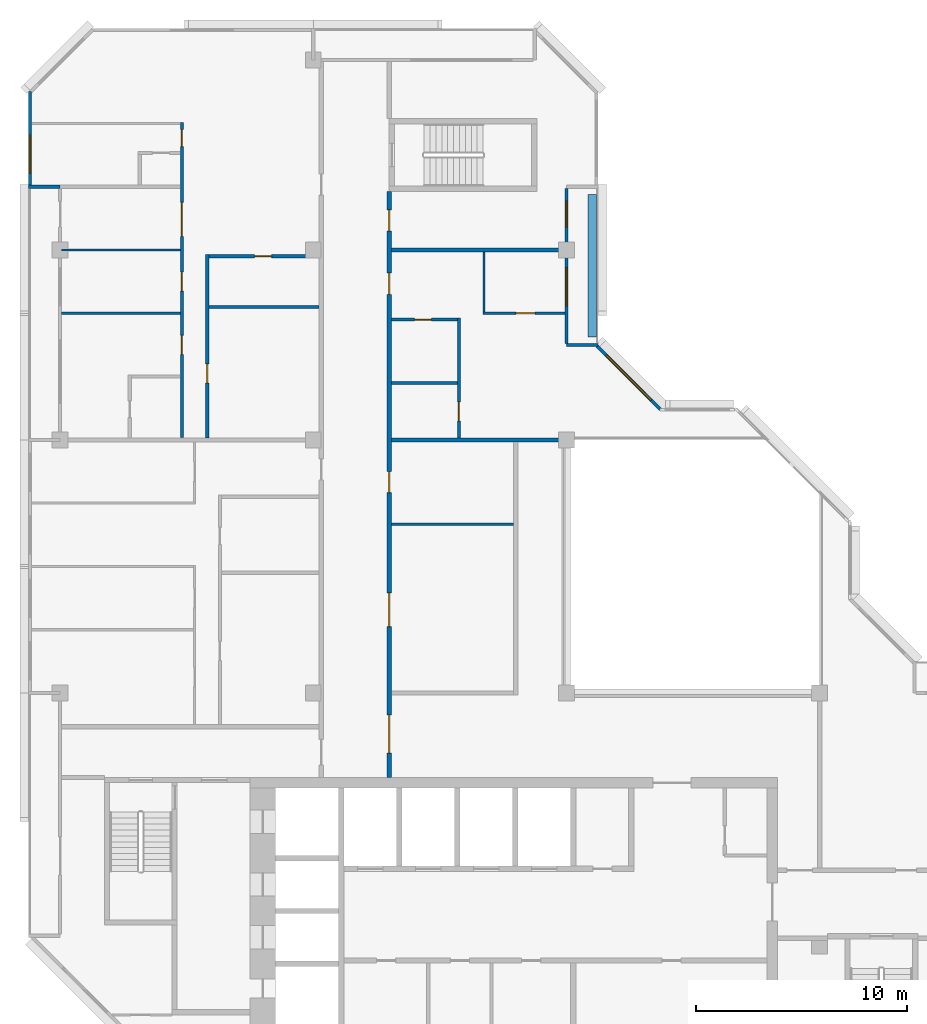
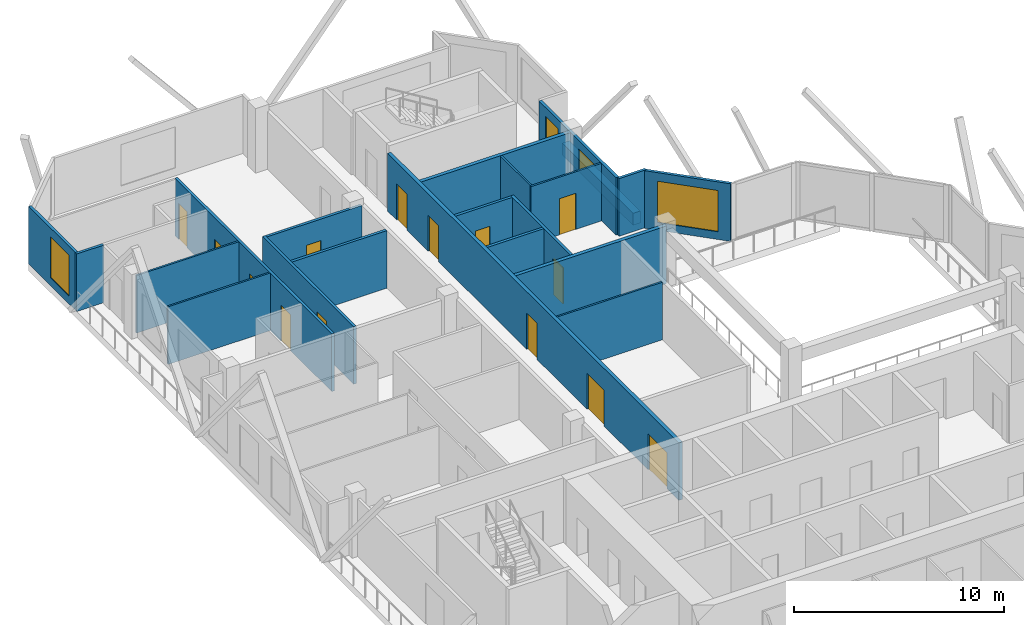
# One storey, part 8 of 11: 21 walls, 14 doors, 4 windows, 18 openings.
"""IFC4 building model written with IfcOpenShell, lengths in metres."""

from ifc_helpers import new_model, si_unit, direction, frame, frame_2d, origin, place, context, subcontext, project, spatial, rectangle, extrude, material, layer, layer_set, type_object, element, fill, save


model = new_model("IFC4")

# Units and contexts
model_context = context("Model", 3, precision=1e-05, world=origin(), true_north=direction((0.0, 1.0)))
body_context = subcontext(model_context, "Body", "Model", "MODEL_VIEW")
ifc_project = project(units=[si_unit("LENGTHUNIT", "METRE"), si_unit("AREAUNIT", "SQUARE_METRE"), si_unit("VOLUMEUNIT", "CUBIC_METRE"), si_unit("PLANEANGLEUNIT", "RADIAN"), si_unit("MASSUNIT", "GRAM", prefix="KILO")], contexts=[model_context])

# Site, building, storey
site_placement = place(None, origin())
site = spatial("IfcSite", under=ifc_project, at=site_placement, CompositionType="ELEMENT")
building_placement = place(site_placement, origin())
building = spatial("IfcBuilding", under=site, at=building_placement, Name="Chenar Terraces", CompositionType="ELEMENT")
storey_placement = place(building_placement, frame((0.0, 0.0, 376.39990234375)))
storey = spatial("IfcBuildingStorey", under=building, at=storey_placement, Name="L88", CompositionType="ELEMENT", Elevation=376.39990234375)

# Wall, openings, doors
ifc_material_1 = material(Name="Gypsum board on steel studs with fire boards", Category="steel")
ifc_layer_1 = layer(ifc_material_1, 0.199951171875)
ifc_layer_set_1 = layer_set([ifc_layer_1], Name="Gypsum board on steel studs with fire boards")
wall_type_1 = type_object("IfcWallType", Name="Corridor wall 200", PredefinedType="PARTITIONING", material=ifc_layer_set_1)
wall_1_placement = place(storey_placement, frame((15.60009765625, 20.0, 0.0), z_axis=(0.0, 0.0, 1.0), x_axis=(0.0, 1.0, 0.0)))
wall_1 = element("IfcWall", 1, at=wall_1_placement, inside=storey, type_object=wall_type_1, Name="Partition L88-031", PredefinedType="PARTITIONING", context=body_context, shape_type="SweptSolid", body=[
    extrude(rectangle(XDim=27.77490234375, YDim=0.199951171875, at=frame_2d((13.887451171875, 0.0))), origin(), (0.0, 0.0, 1.0), 3.35009765625),
])
opening_1_placement = place(wall_1_placement, frame((7.14990234375, 0.0, 0.0)))
opening_1 = element("IfcOpeningElement", 2, at=opening_1_placement, cuts=wall_1, Name="Opening DL88-1", PredefinedType="OPENING", context=body_context, shape_type="SweptSolid", body=[
    extrude(rectangle(XDim=1.60009765625, YDim=2.10009765625, at=frame_2d((0.800048828125, 1.050048828125))), frame((0.0, 0.10986328125, 0.0), z_axis=(0.0, -1.0, 0.0), x_axis=(1.0, 0.0, 0.0)), (0.0, 0.0, 1.0), 0.219970703125),
])
opening_2_placement = place(wall_1_placement, frame((13.5, 0.0, 0.0)))
opening_2 = element("IfcOpeningElement", 3, at=opening_2_placement, cuts=wall_1, Name="Opening DL88-2", PredefinedType="OPENING", context=body_context, shape_type="SweptSolid", body=[
    extrude(rectangle(XDim=1.0, YDim=2.10009765625, at=frame_2d((0.5, 1.050048828125))), frame((0.0, 0.10986328125, 0.0), z_axis=(0.0, -1.0, 0.0), x_axis=(1.0, 0.0, 0.0)), (0.0, 0.0, 1.0), 0.219970703125),
])
opening_3_placement = place(wall_1_placement, frame((22.89990234375, 0.0, 0.0)))
opening_3 = element("IfcOpeningElement", 4, at=opening_3_placement, cuts=wall_1, Name="Opening DL88-7", PredefinedType="OPENING", context=body_context, shape_type="SweptSolid", body=[
    extrude(rectangle(XDim=1.0, YDim=2.10009765625, at=frame_2d((0.5, 1.050048828125))), frame((0.0, 0.10986328125, 0.0), z_axis=(0.0, -1.0, 0.0), x_axis=(1.0, 0.0, 0.0)), (0.0, 0.0, 1.0), 0.219970703125),
])
opening_4_placement = place(wall_1_placement, frame((1.14990234375, 0.0, 0.0)))
opening_4 = element("IfcOpeningElement", 5, at=opening_4_placement, cuts=wall_1, Name="Opening DL88-18", PredefinedType="OPENING", context=body_context, shape_type="SweptSolid", body=[
    extrude(rectangle(XDim=1.800048828125, YDim=2.10009765625, at=frame_2d((0.89990234375, 1.050048828125))), frame((0.0, 0.10986328125, 0.0), z_axis=(0.0, -1.0, 0.0), x_axis=(1.0, 0.0, 0.0)), (0.0, 0.0, 1.0), 0.219970703125),
])
opening_5_placement = place(wall_1_placement, frame((25.89990234375, 0.0, 0.0)))
opening_5 = element("IfcOpeningElement", 6, at=opening_5_placement, cuts=wall_1, Name="Opening DL88-21", PredefinedType="OPENING", context=body_context, shape_type="SweptSolid", body=[
    extrude(rectangle(XDim=1.0, YDim=2.10009765625, at=frame_2d((0.5, 1.050048828125))), frame((0.0, 0.10986328125, 0.0), z_axis=(0.0, -1.0, 0.0), x_axis=(1.0, 0.0, 0.0)), (0.0, 0.0, 1.0), 0.219970703125),
])
ifc_material_2 = material(Name="Steel-framed fire-resisting door leaf", Category="steel")
door_type_1 = type_object("IfcDoorType", Name="Fire door FD60 1000 x 2100", OperationType="SINGLE_SWING_LEFT", PredefinedType="DOOR", material=ifc_material_2)
door_1_placement = place(opening_2_placement, frame((1.0, 0.0, 0.0), z_axis=(0.0, 0.0, 1.0), x_axis=(-1.0, 0.0, 0.0)))
door_1 = element("IfcDoor", 7, at=door_1_placement, inside=storey, type_object=door_type_1, Name="Door DL88-2", OperationType="SINGLE_SWING_LEFT", OverallHeight=2.10009765625, OverallWidth=1.0, PredefinedType="DOOR", context=body_context, shape_type="SweptSolid", body=[
    extrude(rectangle(XDim=1.0, YDim=2.10009765625, at=frame_2d((0.5, 1.050048828125))), frame((0.0, 0.02490234375, 0.0), z_axis=(0.0, -1.0, 0.0), x_axis=(1.0, 0.0, 0.0)), (0.0, 0.0, 1.0), 0.050048828125),
])
fill(opening_2, door_1)
door_2_placement = place(opening_3_placement, frame((1.0, 0.0, 0.0), z_axis=(0.0, 0.0, 1.0), x_axis=(-1.0, 0.0, 0.0)))
door_2 = element("IfcDoor", 8, at=door_2_placement, inside=storey, type_object=door_type_1, Name="Door DL88-7", OperationType="SINGLE_SWING_LEFT", OverallHeight=2.10009765625, OverallWidth=1.0, PredefinedType="DOOR", context=body_context, shape_type="SweptSolid", body=[
    extrude(rectangle(XDim=1.0, YDim=2.10009765625, at=frame_2d((0.5, 1.050048828125))), frame((0.0, 0.02490234375, 0.0), z_axis=(0.0, -1.0, 0.0), x_axis=(1.0, 0.0, 0.0)), (0.0, 0.0, 1.0), 0.050048828125),
])
fill(opening_3, door_2)
door_3_placement = place(opening_5_placement, frame((1.0, 0.0, 0.0), z_axis=(0.0, 0.0, 1.0), x_axis=(-1.0, 0.0, 0.0)))
door_3 = element("IfcDoor", 9, at=door_3_placement, inside=storey, type_object=door_type_1, Name="Door DL88-21", OperationType="SINGLE_SWING_RIGHT", OverallHeight=2.10009765625, OverallWidth=1.0, PredefinedType="DOOR", context=body_context, shape_type="SweptSolid", body=[
    extrude(rectangle(XDim=1.0, YDim=2.10009765625, at=frame_2d((0.5, 1.050048828125))), frame((0.0, 0.02490234375, 0.0), z_axis=(0.0, -1.0, 0.0), x_axis=(1.0, 0.0, 0.0)), (0.0, 0.0, 1.0), 0.050048828125),
])
fill(opening_5, door_3)
ifc_material_3 = material(Name="Steel-framed fire-resisting door leaf", Category="steel")
door_type_2 = type_object("IfcDoorType", Name="Fire double door FD60 1600 x 2100", OperationType="DOUBLE_DOOR_SINGLE_SWING", PredefinedType="DOOR", material=ifc_material_3)
door_4_placement = place(opening_1_placement, frame((1.60009765625, 0.0, 0.0), z_axis=(0.0, 0.0, 1.0), x_axis=(-1.0, 0.0, 0.0)))
door_4 = element("IfcDoor", 10, at=door_4_placement, inside=storey, type_object=door_type_2, Name="Door DL88-1", OperationType="DOUBLE_DOOR_SINGLE_SWING", OverallHeight=2.10009765625, OverallWidth=1.60009765625, PredefinedType="DOOR", context=body_context, shape_type="SweptSolid", body=[
    extrude(rectangle(XDim=1.60009765625, YDim=2.10009765625, at=frame_2d((0.800048828125, 1.050048828125))), frame((0.0, 0.02490234375, 0.0), z_axis=(0.0, -1.0, 0.0), x_axis=(1.0, 0.0, 0.0)), (0.0, 0.0, 1.0), 0.050048828125),
])
fill(opening_1, door_4)
ifc_material_4 = material(Name="Steel-framed fire-resisting door leaf", Category="steel")
door_type_3 = type_object("IfcDoorType", Name="Fire double door FD60 1800 x 2100", OperationType="DOUBLE_DOOR_SINGLE_SWING", PredefinedType="DOOR", material=ifc_material_4)
door_5_placement = place(opening_4_placement, frame((1.800048828125, 0.0, 0.0), z_axis=(0.0, 0.0, 1.0), x_axis=(-1.0, 0.0, 0.0)))
door_5 = element("IfcDoor", 11, at=door_5_placement, inside=storey, type_object=door_type_3, Name="Door DL88-18", OperationType="DOUBLE_DOOR_SINGLE_SWING", OverallHeight=2.10009765625, OverallWidth=1.800048828125, PredefinedType="DOOR", context=body_context, shape_type="SweptSolid", body=[
    extrude(rectangle(XDim=1.800048828125, YDim=2.10009765625, at=frame_2d((0.89990234375, 1.050048828125))), frame((0.0, 0.02490234375, 0.0), z_axis=(0.0, -1.0, 0.0), x_axis=(1.0, 0.0, 0.0)), (0.0, 0.0, 1.0), 0.050048828125),
])
fill(opening_4, door_5)

# Wall, opening, window
ifc_material_5 = material(Name="Aluminium framed glazing", Category="aluminium")
ifc_layer_2 = layer(ifc_material_5, 0.14990234375)
ifc_layer_set_2 = layer_set([ifc_layer_2], Name="Aluminium framed glazing")
wall_type_2 = type_object("IfcWallType", Name="Glazed flush facade wall 150", PredefinedType="SOLIDWALL", material=ifc_layer_set_2)
wall_2_placement = place(storey_placement, frame((-1.425048828125, 52.5, 0.0), z_axis=(0.0, 0.0, 1.0), x_axis=(0.0, -1.0, 0.0)))
wall_2 = element("IfcWall", 12, at=wall_2_placement, inside=storey, type_object=wall_type_2, Name="Glazed flush facade wall", PredefinedType="SOLIDWALL", context=body_context, shape_type="SweptSolid", body=[
    extrude(rectangle(XDim=4.425048828125, YDim=0.14990234375, at=frame_2d((2.21240234375, 0.0))), origin(), (0.0, 0.0, 1.0), 3.35009765625),
])
opening_6_placement = place(wall_2_placement, frame((2.0625, 0.0, 0.449951171875)))
opening_6 = element("IfcOpeningElement", 13, at=opening_6_placement, cuts=wall_2, Name="Opening W180x240", PredefinedType="OPENING", context=body_context, shape_type="SweptSolid", body=[
    extrude(rectangle(XDim=1.800048828125, YDim=2.39990234375, at=frame_2d((0.89990234375, 1.199951171875))), frame((0.0, 0.0849609375, 0.0), z_axis=(0.0, -1.0, 0.0), x_axis=(1.0, 0.0, 0.0)), (0.0, 0.0, 1.0), 0.169921875),
])
ifc_material_6 = material(Name="Low emissivity double glazing, aluminium frame", Category="aluminium")
window_type_1 = type_object("IfcWindowType", Name="Fixed light 1800 x 2400", PartitioningType="SINGLE_PANEL", PredefinedType="WINDOW", material=ifc_material_6)
window_1_placement = place(opening_6_placement, origin())
window_1 = element("IfcWindow", 14, at=window_1_placement, inside=storey, type_object=window_type_1, Name="Window", OverallHeight=2.39990234375, OverallWidth=1.800048828125, PartitioningType="SINGLE_PANEL", PredefinedType="WINDOW", context=body_context, shape_type="SweptSolid", body=[
    extrude(rectangle(XDim=1.800048828125, YDim=2.39990234375, at=frame_2d((0.89990234375, 1.199951171875))), frame((0.0, 0.030029296875, 0.0), z_axis=(0.0, -1.0, 0.0), x_axis=(1.0, 0.0, 0.0)), (0.0, 0.0, 1.0), 0.06005859375),
])
fill(opening_6, window_1)

# Wall, openings, windows
ifc_material_7 = material(Name="Aluminium framed glazing", Category="aluminium")
ifc_layer_3 = layer(ifc_material_7, 0.14990234375)
ifc_layer_set_3 = layer_set([ifc_layer_3], Name="Aluminium framed glazing")
wall_type_3 = type_object("IfcWallType", Name="Glazed loggia back wall 150", PredefinedType="SOLIDWALL", material=ifc_layer_set_3)
wall_3_placement = place(storey_placement, frame((24.0, 40.574951171875, 0.0), z_axis=(0.0, 0.0, 1.0), x_axis=(0.0, 1.0, 0.0)))
wall_3 = element("IfcWall", 15, at=wall_3_placement, inside=storey, type_object=wall_type_3, Name="Glazed loggia back wall", PredefinedType="SOLIDWALL", context=body_context, shape_type="SweptSolid", body=[
    extrude(rectangle(XDim=7.35009765625, YDim=0.14990234375, at=frame_2d((3.675048828125, 0.0))), origin(), (0.0, 0.0, 1.0), 3.35009765625),
])
opening_7_placement = place(wall_3_placement, frame((1.78759765625, 0.0, 0.449951171875)))
opening_7 = element("IfcOpeningElement", 16, at=opening_7_placement, cuts=wall_3, Name="Opening W180x240", PredefinedType="OPENING", context=body_context, shape_type="SweptSolid", body=[
    extrude(rectangle(XDim=1.800048828125, YDim=2.39990234375, at=frame_2d((0.89990234375, 1.199951171875))), frame((0.0, 0.0849609375, 0.0), z_axis=(0.0, -1.0, 0.0), x_axis=(1.0, 0.0, 0.0)), (0.0, 0.0, 1.0), 0.169921875),
])
opening_8_placement = place(wall_3_placement, frame((5.52490234375, 0.0, 0.449951171875)))
opening_8 = element("IfcOpeningElement", 17, at=opening_8_placement, cuts=wall_3, Name="Opening W120x240", PredefinedType="OPENING", context=body_context, shape_type="SweptSolid", body=[
    extrude(rectangle(XDim=1.199951171875, YDim=2.39990234375, at=frame_2d((0.60009765625, 1.199951171875))), frame((0.0, 0.0849609375, 0.0), z_axis=(0.0, -1.0, 0.0), x_axis=(1.0, 0.0, 0.0)), (0.0, 0.0, 1.0), 0.169921875),
])
ifc_material_8 = material(Name="Low emissivity double glazing, aluminium frame", Category="aluminium")
window_type_2 = type_object("IfcWindowType", Name="Fixed light 1200 x 2400", PartitioningType="SINGLE_PANEL", PredefinedType="WINDOW", material=ifc_material_8)
window_2_placement = place(opening_8_placement, origin())
window_2 = element("IfcWindow", 18, at=window_2_placement, inside=storey, type_object=window_type_2, Name="Window", OverallHeight=2.39990234375, OverallWidth=1.199951171875, PartitioningType="SINGLE_PANEL", PredefinedType="WINDOW", context=body_context, shape_type="SweptSolid", body=[
    extrude(rectangle(XDim=1.199951171875, YDim=2.39990234375, at=frame_2d((0.60009765625, 1.199951171875))), frame((0.0, 0.030029296875, 0.0), z_axis=(0.0, -1.0, 0.0), x_axis=(1.0, 0.0, 0.0)), (0.0, 0.0, 1.0), 0.06005859375),
])
fill(opening_8, window_2)
window_3_placement = place(opening_7_placement, origin())
window_3 = element("IfcWindow", 19, at=window_3_placement, inside=storey, type_object=window_type_1, Name="Window", OverallHeight=2.39990234375, OverallWidth=1.800048828125, PartitioningType="SINGLE_PANEL", PredefinedType="WINDOW", context=body_context, shape_type="SweptSolid", body=[
    extrude(rectangle(XDim=1.800048828125, YDim=2.39990234375, at=frame_2d((0.89990234375, 1.199951171875))), frame((0.0, 0.030029296875, 0.0), z_axis=(0.0, -1.0, 0.0), x_axis=(1.0, 0.0, 0.0)), (0.0, 0.0, 1.0), 0.06005859375),
])
fill(opening_7, window_3)

# Walls
ifc_material_9 = material(Name="Gypsum board on steel studs", Category="steel")
ifc_layer_4 = layer(ifc_material_9, 0.10009765625)
ifc_layer_set_4 = layer_set([ifc_layer_4], Name="Gypsum board on steel studs")
wall_type_4 = type_object("IfcWallType", Name="Gypsum partition 100", PredefinedType="PARTITIONING", material=ifc_layer_set_4)
for number, where, z_axis, x_axis, name in (
    (20, (0.073974609375, 42.0, 0.0), (0.0, 0.0, 1.0), (1.0, 0.0, 0.0), "Partition L88-009"),
    (21, (0.073974609375, 45.0, 0.0), (0.0, 0.0, 1.0), (1.0, 0.0, 0.0), "Partition L88-010"),
):
    element("IfcWall", number, at=place(storey_placement, frame(where, z_axis=z_axis, x_axis=x_axis)), inside=storey, type_object=wall_type_4, Name=name, PredefinedType="PARTITIONING", context=body_context, shape_type="SweptSolid", body=[
        extrude(rectangle(XDim=5.6259765625, YDim=0.10009765625, at=frame_2d((2.81298828125, 0.0))), origin(), (0.0, 0.0, 1.0), 3.35009765625),
    ])
wall_4_placement = place(storey_placement, frame((15.699951171875, 32.0, 0.0), z_axis=(0.0, 0.0, 1.0), x_axis=(1.0, 0.0, 0.0)))
element("IfcWall", 22, at=wall_4_placement, inside=storey, type_object=wall_type_4, Name="Partition L88-034", PredefinedType="PARTITIONING", context=body_context, shape_type="SweptSolid", body=[
    extrude(rectangle(XDim=5.800048828125, YDim=0.10009765625, at=frame_2d((2.89990234375, 0.0))), origin(), (0.0, 0.0, 1.0), 3.35009765625),
])

# Wall, opening, door
wall_5_placement = place(storey_placement, frame((20.050048828125, 42.0, 0.0), z_axis=(0.0, 0.0, 1.0), x_axis=(1.0, 0.0, 0.0)))
wall_5 = element("IfcWall", 23, at=wall_5_placement, inside=storey, type_object=wall_type_4, Name="Partition L88-041", PredefinedType="PARTITIONING", context=body_context, shape_type="SweptSolid", body=[
    extrude(rectangle(XDim=3.8759765625, YDim=0.10009765625, at=frame_2d((1.93798828125, 0.0))), origin(), (0.0, 0.0, 1.0), 3.35009765625),
])
opening_9_placement = place(wall_5_placement, frame((1.550048828125, 0.0, 0.0)))
opening_9 = element("IfcOpeningElement", 24, at=opening_9_placement, cuts=wall_5, Name="Opening DL88-5", PredefinedType="OPENING", context=body_context, shape_type="SweptSolid", body=[
    extrude(rectangle(XDim=0.89990234375, YDim=2.10009765625, at=frame_2d((0.449951171875, 1.050048828125))), frame((0.0, 0.06005859375, 0.0), z_axis=(0.0, -1.0, 0.0), x_axis=(1.0, 0.0, 0.0)), (0.0, 0.0, 1.0), 0.1201171875),
])
ifc_material_10 = material(Name="Veneered timber door leaf", Category="wood")
door_type_4 = type_object("IfcDoorType", Name="Door 900 x 2100", OperationType="SINGLE_SWING_LEFT", PredefinedType="DOOR", material=ifc_material_10)
door_6_placement = place(opening_9_placement, origin())
door_6 = element("IfcDoor", 25, at=door_6_placement, inside=storey, type_object=door_type_4, Name="Door DL88-5", OperationType="SINGLE_SWING_RIGHT", OverallHeight=2.10009765625, OverallWidth=0.89990234375, PredefinedType="DOOR", context=body_context, shape_type="SweptSolid", body=[
    extrude(rectangle(XDim=0.89990234375, YDim=2.10009765625, at=frame_2d((0.449951171875, 1.050048828125))), frame((0.0, 0.02490234375, 0.0), z_axis=(0.0, -1.0, 0.0), x_axis=(1.0, 0.0, 0.0)), (0.0, 0.0, 1.0), 0.050048828125),
])
fill(opening_9, door_6)

# Walls
wall_6_placement = place(storey_placement, frame((20.10009765625, 42.050048828125, 0.0), z_axis=(0.0, 0.0, 1.0), x_axis=(0.0, 1.0, 0.0)))
element("IfcWall", 26, at=wall_6_placement, inside=storey, type_object=wall_type_4, Name="Partition L88-042", PredefinedType="PARTITIONING", context=body_context, shape_type="SweptSolid", body=[
    extrude(rectangle(XDim=2.849853515625, YDim=0.10009765625, at=frame_2d((1.4248046875, 0.0))), origin(), (0.0, 0.0, 1.0), 3.35009765625),
])
ifc_material_11 = material(Name="Terracotta cladding on insulated backing", Category="masonry")
ifc_layer_5 = layer(ifc_material_11, 0.14990234375)
ifc_layer_set_5 = layer_set([ifc_layer_5], Name="Terracotta cladding on insulated backing")
wall_type_5 = type_object("IfcWallType", Name="Loggia return wall 150", PredefinedType="SOLIDWALL", material=ifc_layer_set_5)
for number, where, z_axis, x_axis, name in (
    (27, (25.5, 40.5, 0.0), (0.0, 0.0, 1.0), (-1.0, 0.0, 0.0), "Loggia return wall"),
    (28, (-1.5, 48.0, 0.0), (0.0, 0.0, 1.0), (1.0, 0.0, 0.0), "Loggia return wall"),
):
    element("IfcWall", number, at=place(storey_placement, frame(where, z_axis=z_axis, x_axis=x_axis)), inside=storey, type_object=wall_type_5, Name=name, PredefinedType="SOLIDWALL", context=body_context, shape_type="SweptSolid", body=[
        extrude(rectangle(XDim=1.5, YDim=0.14990234375, at=frame_2d((0.75, 0.0))), origin(), (0.0, 0.0, 1.0), 3.35009765625),
    ])

# Wall, opening, window
ifc_material_12 = material(Name="Terracotta cladding on insulated backing", Category="masonry")
ifc_layer_6 = layer(ifc_material_12, 0.14990234375)
ifc_layer_set_6 = layer_set([ifc_layer_6], Name="Terracotta cladding on insulated backing")
wall_type_6 = type_object("IfcWallType", Name="Terracotta rainscreen wall 150", PredefinedType="SOLIDWALL", material=ifc_layer_set_6)
wall_7_placement = place(storey_placement, frame((28.447021484375, 37.447021484375, 0.0), z_axis=(0.0, 0.0, 1.0), x_axis=(-0.707106781187, 0.707106781187, 0.0)))
wall_7 = element("IfcWall", 29, at=wall_7_placement, inside=storey, type_object=wall_type_6, Name="Terracotta rainscreen wall", PredefinedType="SOLIDWALL", context=body_context, shape_type="SweptSolid", body=[
    extrude(rectangle(XDim=4.24267578125, YDim=0.14990234375, at=frame_2d((2.121337890625, 0.0))), origin(), (0.0, 0.0, 1.0), 3.35009765625),
])
opening_10_placement = place(wall_7_placement, frame((0.621337890625, 0.0, 0.449951171875)))
opening_10 = element("IfcOpeningElement", 30, at=opening_10_placement, cuts=wall_7, Name="Opening W300x240", PredefinedType="OPENING", context=body_context, shape_type="SweptSolid", body=[
    extrude(rectangle(XDim=3.0, YDim=2.39990234375, at=frame_2d((1.5, 1.199951171875))), frame((0.0, 0.0849609375, 0.0), z_axis=(0.0, -1.0, 0.0), x_axis=(1.0, 0.0, 0.0)), (0.0, 0.0, 1.0), 0.169921875),
])
ifc_material_13 = material(Name="Low emissivity double glazing, aluminium frame", Category="aluminium")
window_type_3 = type_object("IfcWindowType", Name="Fixed light 3000 x 2400", PartitioningType="SINGLE_PANEL", PredefinedType="WINDOW", material=ifc_material_13)
window_4_placement = place(opening_10_placement, origin())
window_4 = element("IfcWindow", 31, at=window_4_placement, inside=storey, type_object=window_type_3, Name="Window", OverallHeight=2.39990234375, OverallWidth=3.0, PartitioningType="SINGLE_PANEL", PredefinedType="WINDOW", context=body_context, shape_type="SweptSolid", body=[
    extrude(rectangle(XDim=3.0, YDim=2.39990234375, at=frame_2d((1.5, 1.199951171875))), frame((0.0, 0.030029296875, 0.0), z_axis=(0.0, -1.0, 0.0), x_axis=(1.0, 0.0, 0.0)), (0.0, 0.0, 1.0), 0.06005859375),
])
fill(opening_10, window_4)

# Walls
ifc_material_14 = material(Name="Twin gypsum board on steel studs with mineral wool", Category="steel")
ifc_layer_7 = layer(ifc_material_14, 0.199951171875)
ifc_layer_set_7 = layer_set([ifc_layer_7], Name="Twin gypsum board on steel studs with mineral wool")
wall_type_7 = type_object("IfcWallType", Name="Unit demising wall 200", PredefinedType="PARTITIONING", material=ifc_layer_set_7)
wall_8_placement = place(storey_placement, frame((15.699951171875, 36.0, 0.0), z_axis=(0.0, 0.0, 1.0), x_axis=(1.0, 0.0, 0.0)))
element("IfcWall", 32, at=wall_8_placement, inside=storey, type_object=wall_type_7, Name="Partition L88-035", PredefinedType="PARTITIONING", context=body_context, shape_type="SweptSolid", body=[
    extrude(rectangle(XDim=8.300048828125, YDim=0.199951171875, at=frame_2d((4.14990234375, 0.0))), origin(), (0.0, 0.0, 1.0), 3.35009765625),
])
wall_9_placement = place(storey_placement, frame((15.699951171875, 45.0, 0.0), z_axis=(0.0, 0.0, 1.0), x_axis=(1.0, 0.0, 0.0)))
element("IfcWall", 33, at=wall_9_placement, inside=storey, type_object=wall_type_7, Name="Partition L88-038", PredefinedType="PARTITIONING", context=body_context, shape_type="SweptSolid", body=[
    extrude(rectangle(XDim=8.22607421875, YDim=0.199951171875, at=frame_2d((4.113037109375, 0.0))), origin(), (0.0, 0.0, 1.0), 3.35009765625),
])
ifc_material_15 = material(Name="GRP planter trough")
ifc_layer_8 = layer(ifc_material_15, 0.39990234375)
ifc_layer_set_8 = layer_set([ifc_layer_8], Name="GRP planter trough")
wall_type_8 = type_object("IfcWallType", Name="Vertical greenery planter 400", PredefinedType="SOLIDWALL", material=ifc_layer_set_8)
wall_10_placement = place(storey_placement, frame((25.22900390625, 40.875, 0.0), z_axis=(0.0, 0.0, 1.0), x_axis=(0.0, 1.0, 0.0)))
element("IfcWall", 34, at=wall_10_placement, inside=storey, type_object=wall_type_8, Name="Vertical greenery planter", PredefinedType="SOLIDWALL", context=body_context, shape_type="SweptSolid", body=[
    extrude(rectangle(XDim=6.75, YDim=0.39990234375, at=frame_2d((3.375, 0.0))), origin(), (0.0, 0.0, 1.0), 0.7001953125),
])

# Wall, openings, doors
ifc_material_16 = material(Name="Moisture-resistant gypsum board on steel studs", Category="steel")
ifc_layer_9 = layer(ifc_material_16, 0.14990234375)
ifc_layer_set_9 = layer_set([ifc_layer_9], Name="Moisture-resistant gypsum board on steel studs")
wall_type_9 = type_object("IfcWallType", Name="Wet-room partition 150", PredefinedType="PARTITIONING", material=ifc_layer_set_9)
wall_11_placement = place(storey_placement, frame((5.77490234375, 36.10009765625, 0.0), z_axis=(0.0, 0.0, 1.0), x_axis=(0.0, 1.0, 0.0)))
wall_11 = element("IfcWall", 35, at=wall_11_placement, inside=storey, type_object=wall_type_9, Name="Partition L88-016", PredefinedType="PARTITIONING", context=body_context, shape_type="SweptSolid", body=[
    extrude(rectangle(XDim=14.949951171875, YDim=0.14990234375, at=frame_2d((7.47509765625, 0.0))), origin(), (0.0, 0.0, 1.0), 3.35009765625),
])
opening_11_placement = place(wall_11_placement, frame((6.949951171875, 0.0, 0.0)))
opening_11 = element("IfcOpeningElement", 36, at=opening_11_placement, cuts=wall_11, Name="Opening DL88-9", PredefinedType="OPENING", context=body_context, shape_type="SweptSolid", body=[
    extrude(rectangle(XDim=0.89990234375, YDim=2.10009765625, at=frame_2d((0.449951171875, 1.050048828125))), frame((0.0, 0.0849609375, 0.0), z_axis=(0.0, -1.0, 0.0), x_axis=(1.0, 0.0, 0.0)), (0.0, 0.0, 1.0), 0.169921875),
])
opening_12_placement = place(wall_11_placement, frame((3.949951171875, 0.0, 0.0)))
opening_12 = element("IfcOpeningElement", 37, at=opening_12_placement, cuts=wall_11, Name="Opening DL88-10", PredefinedType="OPENING", context=body_context, shape_type="SweptSolid", body=[
    extrude(rectangle(XDim=0.89990234375, YDim=2.10009765625, at=frame_2d((0.449951171875, 1.050048828125))), frame((0.0, 0.0849609375, 0.0), z_axis=(0.0, -1.0, 0.0), x_axis=(1.0, 0.0, 0.0)), (0.0, 0.0, 1.0), 0.169921875),
])
opening_13_placement = place(wall_11_placement, frame((13.800048828125, 0.0, 0.0)))
opening_13 = element("IfcOpeningElement", 38, at=opening_13_placement, cuts=wall_11, Name="Opening DL88-14", PredefinedType="OPENING", context=body_context, shape_type="SweptSolid", body=[
    extrude(rectangle(XDim=0.800048828125, YDim=2.10009765625, at=frame_2d((0.39990234375, 1.050048828125))), frame((0.0, 0.0849609375, 0.0), z_axis=(0.0, -1.0, 0.0), x_axis=(1.0, 0.0, 0.0)), (0.0, 0.0, 1.0), 0.169921875),
])
opening_14_placement = place(wall_11_placement, frame((9.550048828125, 0.0, 0.0)))
opening_14 = element("IfcOpeningElement", 39, at=opening_14_placement, cuts=wall_11, Name="Opening DL88-16", PredefinedType="OPENING", context=body_context, shape_type="SweptSolid", body=[
    extrude(rectangle(XDim=1.60009765625, YDim=2.10009765625, at=frame_2d((0.800048828125, 1.050048828125))), frame((0.0, 0.0849609375, 0.0), z_axis=(0.0, -1.0, 0.0), x_axis=(1.0, 0.0, 0.0)), (0.0, 0.0, 1.0), 0.169921875),
])
ifc_material_17 = material(Name="Veneered timber door leaf", Category="wood")
door_type_5 = type_object("IfcDoorType", Name="Door 800 x 2100", OperationType="SINGLE_SWING_LEFT", PredefinedType="DOOR", material=ifc_material_17)
door_7_placement = place(opening_13_placement, origin())
door_7 = element("IfcDoor", 40, at=door_7_placement, inside=storey, type_object=door_type_5, Name="Door DL88-14", OperationType="SINGLE_SWING_RIGHT", OverallHeight=2.10009765625, OverallWidth=0.800048828125, PredefinedType="DOOR", context=body_context, shape_type="SweptSolid", body=[
    extrude(rectangle(XDim=0.800048828125, YDim=2.10009765625, at=frame_2d((0.39990234375, 1.050048828125))), frame((0.0, 0.02490234375, 0.0), z_axis=(0.0, -1.0, 0.0), x_axis=(1.0, 0.0, 0.0)), (0.0, 0.0, 1.0), 0.050048828125),
])
fill(opening_13, door_7)
door_8_placement = place(opening_11_placement, origin())
door_8 = element("IfcDoor", 41, at=door_8_placement, inside=storey, type_object=door_type_4, Name="Door DL88-9", OperationType="SINGLE_SWING_RIGHT", OverallHeight=2.10009765625, OverallWidth=0.89990234375, PredefinedType="DOOR", context=body_context, shape_type="SweptSolid", body=[
    extrude(rectangle(XDim=0.89990234375, YDim=2.10009765625, at=frame_2d((0.449951171875, 1.050048828125))), frame((0.0, 0.02490234375, 0.0), z_axis=(0.0, -1.0, 0.0), x_axis=(1.0, 0.0, 0.0)), (0.0, 0.0, 1.0), 0.050048828125),
])
fill(opening_11, door_8)
door_9_placement = place(opening_12_placement, origin())
door_9 = element("IfcDoor", 42, at=door_9_placement, inside=storey, type_object=door_type_4, Name="Door DL88-10", OperationType="SINGLE_SWING_RIGHT", OverallHeight=2.10009765625, OverallWidth=0.89990234375, PredefinedType="DOOR", context=body_context, shape_type="SweptSolid", body=[
    extrude(rectangle(XDim=0.89990234375, YDim=2.10009765625, at=frame_2d((0.449951171875, 1.050048828125))), frame((0.0, 0.02490234375, 0.0), z_axis=(0.0, -1.0, 0.0), x_axis=(1.0, 0.0, 0.0)), (0.0, 0.0, 1.0), 0.050048828125),
])
fill(opening_12, door_9)
ifc_material_18 = material(Name="Veneered timber door leaf", Category="wood")
door_type_6 = type_object("IfcDoorType", Name="Double door 1600 x 2100", OperationType="DOUBLE_DOOR_SINGLE_SWING", PredefinedType="DOOR", material=ifc_material_18)
door_10_placement = place(opening_14_placement, origin())
door_10 = element("IfcDoor", 43, at=door_10_placement, inside=storey, type_object=door_type_6, Name="Door DL88-16", OperationType="DOUBLE_DOOR_SINGLE_SWING", OverallHeight=2.10009765625, OverallWidth=1.60009765625, PredefinedType="DOOR", context=body_context, shape_type="SweptSolid", body=[
    extrude(rectangle(XDim=1.60009765625, YDim=2.10009765625, at=frame_2d((0.800048828125, 1.050048828125))), frame((0.0, 0.02490234375, 0.0), z_axis=(0.0, -1.0, 0.0), x_axis=(1.0, 0.0, 0.0)), (0.0, 0.0, 1.0), 0.050048828125),
])
fill(opening_14, door_10)

# Wall, opening, door
wall_12_placement = place(storey_placement, frame((6.97509765625, 36.10009765625, 0.0), z_axis=(0.0, 0.0, 1.0), x_axis=(0.0, 1.0, 0.0)))
wall_12 = element("IfcWall", 44, at=wall_12_placement, inside=storey, type_object=wall_type_9, Name="Partition L88-019", PredefinedType="PARTITIONING", context=body_context, shape_type="SweptSolid", body=[
    extrude(rectangle(XDim=8.6748046875, YDim=0.14990234375, at=frame_2d((4.33740234375, 0.0))), origin(), (0.0, 0.0, 1.0), 3.35009765625),
])
opening_15_placement = place(wall_12_placement, frame((2.60009765625, 0.0, 0.0)))
opening_15 = element("IfcOpeningElement", 45, at=opening_15_placement, cuts=wall_12, Name="Opening DL88-12", PredefinedType="OPENING", context=body_context, shape_type="SweptSolid", body=[
    extrude(rectangle(XDim=0.89990234375, YDim=2.10009765625, at=frame_2d((0.449951171875, 1.050048828125))), frame((0.0, 0.0849609375, 0.0), z_axis=(0.0, -1.0, 0.0), x_axis=(1.0, 0.0, 0.0)), (0.0, 0.0, 1.0), 0.169921875),
])
door_11_placement = place(opening_15_placement, frame((0.89990234375, 0.0, 0.0), z_axis=(0.0, 0.0, 1.0), x_axis=(-1.0, 0.0, 0.0)))
door_11 = element("IfcDoor", 46, at=door_11_placement, inside=storey, type_object=door_type_4, Name="Door DL88-12", OperationType="SINGLE_SWING_LEFT", OverallHeight=2.10009765625, OverallWidth=0.89990234375, PredefinedType="DOOR", context=body_context, shape_type="SweptSolid", body=[
    extrude(rectangle(XDim=0.89990234375, YDim=2.10009765625, at=frame_2d((0.449951171875, 1.050048828125))), frame((0.0, 0.02490234375, 0.0), z_axis=(0.0, -1.0, 0.0), x_axis=(1.0, 0.0, 0.0)), (0.0, 0.0, 1.0), 0.050048828125),
])
fill(opening_15, door_11)

# Wall
wall_13_placement = place(storey_placement, frame((7.050048828125, 42.300048828125, 0.0), z_axis=(0.0, 0.0, 1.0), x_axis=(1.0, 0.0, 0.0)))
element("IfcWall", 47, at=wall_13_placement, inside=storey, type_object=wall_type_9, Name="Partition L88-020", PredefinedType="PARTITIONING", context=body_context, shape_type="SweptSolid", body=[
    extrude(rectangle(XDim=5.224853515625, YDim=0.14990234375, at=frame_2d((2.6123046875, 0.0))), origin(), (0.0, 0.0, 1.0), 3.35009765625),
])

# Wall, opening, door
wall_14_placement = place(storey_placement, frame((7.050048828125, 44.699951171875, 0.0), z_axis=(0.0, 0.0, 1.0), x_axis=(1.0, 0.0, 0.0)))
wall_14 = element("IfcWall", 48, at=wall_14_placement, inside=storey, type_object=wall_type_9, Name="Partition L88-021", PredefinedType="PARTITIONING", context=body_context, shape_type="SweptSolid", body=[
    extrude(rectangle(XDim=5.224853515625, YDim=0.14990234375, at=frame_2d((2.6123046875, 0.0))), origin(), (0.0, 0.0, 1.0), 3.35009765625),
])
opening_16_placement = place(wall_14_placement, frame((2.175048828125, 0.0, 0.0)))
opening_16 = element("IfcOpeningElement", 49, at=opening_16_placement, cuts=wall_14, Name="Opening DL88-8", PredefinedType="OPENING", context=body_context, shape_type="SweptSolid", body=[
    extrude(rectangle(XDim=0.800048828125, YDim=2.10009765625, at=frame_2d((0.39990234375, 1.050048828125))), frame((0.0, 0.0849609375, 0.0), z_axis=(0.0, -1.0, 0.0), x_axis=(1.0, 0.0, 0.0)), (0.0, 0.0, 1.0), 0.169921875),
])
door_12_placement = place(opening_16_placement, frame((0.800048828125, 0.0, 0.0), z_axis=(0.0, 0.0, 1.0), x_axis=(-1.0, 0.0, 0.0)))
door_12 = element("IfcDoor", 50, at=door_12_placement, inside=storey, type_object=door_type_5, Name="Door DL88-8", OperationType="SINGLE_SWING_LEFT", OverallHeight=2.10009765625, OverallWidth=0.800048828125, PredefinedType="DOOR", context=body_context, shape_type="SweptSolid", body=[
    extrude(rectangle(XDim=0.800048828125, YDim=2.10009765625, at=frame_2d((0.39990234375, 1.050048828125))), frame((0.0, 0.02490234375, 0.0), z_axis=(0.0, -1.0, 0.0), x_axis=(1.0, 0.0, 0.0)), (0.0, 0.0, 1.0), 0.050048828125),
])
fill(opening_16, door_12)

# Wall
wall_15_placement = place(storey_placement, frame((15.699951171875, 38.699951171875, 0.0), z_axis=(0.0, 0.0, 1.0), x_axis=(1.0, 0.0, 0.0)))
element("IfcWall", 51, at=wall_15_placement, inside=storey, type_object=wall_type_9, Name="Partition L88-036", PredefinedType="PARTITIONING", context=body_context, shape_type="SweptSolid", body=[
    extrude(rectangle(XDim=3.125, YDim=0.14990234375, at=frame_2d((1.5625, 0.0))), origin(), (0.0, 0.0, 1.0), 3.35009765625),
])

# Wall, opening, door
wall_16_placement = place(storey_placement, frame((15.699951171875, 41.699951171875, 0.0), z_axis=(0.0, 0.0, 1.0), x_axis=(1.0, 0.0, 0.0)))
wall_16 = element("IfcWall", 52, at=wall_16_placement, inside=storey, type_object=wall_type_9, Name="Partition L88-037", PredefinedType="PARTITIONING", context=body_context, shape_type="SweptSolid", body=[
    extrude(rectangle(XDim=3.125, YDim=0.14990234375, at=frame_2d((1.5625, 0.0))), origin(), (0.0, 0.0, 1.0), 3.35009765625),
])
opening_17_placement = place(wall_16_placement, frame((1.10009765625, 0.0, 0.0)))
opening_17 = element("IfcOpeningElement", 53, at=opening_17_placement, cuts=wall_16, Name="Opening DL88-4", PredefinedType="OPENING", context=body_context, shape_type="SweptSolid", body=[
    extrude(rectangle(XDim=0.800048828125, YDim=2.10009765625, at=frame_2d((0.39990234375, 1.050048828125))), frame((0.0, 0.0849609375, 0.0), z_axis=(0.0, -1.0, 0.0), x_axis=(1.0, 0.0, 0.0)), (0.0, 0.0, 1.0), 0.169921875),
])
door_13_placement = place(opening_17_placement, frame((0.800048828125, 0.0, 0.0), z_axis=(0.0, 0.0, 1.0), x_axis=(-1.0, 0.0, 0.0)))
door_13 = element("IfcDoor", 54, at=door_13_placement, inside=storey, type_object=door_type_5, Name="Door DL88-4", OperationType="SINGLE_SWING_RIGHT", OverallHeight=2.10009765625, OverallWidth=0.800048828125, PredefinedType="DOOR", context=body_context, shape_type="SweptSolid", body=[
    extrude(rectangle(XDim=0.800048828125, YDim=2.10009765625, at=frame_2d((0.39990234375, 1.050048828125))), frame((0.0, 0.02490234375, 0.0), z_axis=(0.0, -1.0, 0.0), x_axis=(1.0, 0.0, 0.0)), (0.0, 0.0, 1.0), 0.050048828125),
])
fill(opening_17, door_13)

wall_17_placement = place(storey_placement, frame((18.89990234375, 36.10009765625, 0.0), z_axis=(0.0, 0.0, 1.0), x_axis=(0.0, 1.0, 0.0)))
wall_17 = element("IfcWall", 55, at=wall_17_placement, inside=storey, type_object=wall_type_9, Name="Partition L88-040", PredefinedType="PARTITIONING", context=body_context, shape_type="SweptSolid", body=[
    extrude(rectangle(XDim=5.6748046875, YDim=0.14990234375, at=frame_2d((2.83740234375, 0.0))), origin(), (0.0, 0.0, 1.0), 3.35009765625),
])
opening_18_placement = place(wall_17_placement, frame((0.800048828125, 0.0, 0.0)))
opening_18 = element("IfcOpeningElement", 56, at=opening_18_placement, cuts=wall_17, Name="Opening DL88-6", PredefinedType="OPENING", context=body_context, shape_type="SweptSolid", body=[
    extrude(rectangle(XDim=0.89990234375, YDim=2.10009765625, at=frame_2d((0.449951171875, 1.050048828125))), frame((0.0, 0.0849609375, 0.0), z_axis=(0.0, -1.0, 0.0), x_axis=(1.0, 0.0, 0.0)), (0.0, 0.0, 1.0), 0.169921875),
])
door_14_placement = place(opening_18_placement, origin())
door_14 = element("IfcDoor", 57, at=door_14_placement, inside=storey, type_object=door_type_4, Name="Door DL88-6", OperationType="SINGLE_SWING_RIGHT", OverallHeight=2.10009765625, OverallWidth=0.89990234375, PredefinedType="DOOR", context=body_context, shape_type="SweptSolid", body=[
    extrude(rectangle(XDim=0.89990234375, YDim=2.10009765625, at=frame_2d((0.449951171875, 1.050048828125))), frame((0.0, 0.02490234375, 0.0), z_axis=(0.0, -1.0, 0.0), x_axis=(1.0, 0.0, 0.0)), (0.0, 0.0, 1.0), 0.050048828125),
])
fill(opening_18, door_14)

save(model, "model.ifc")
